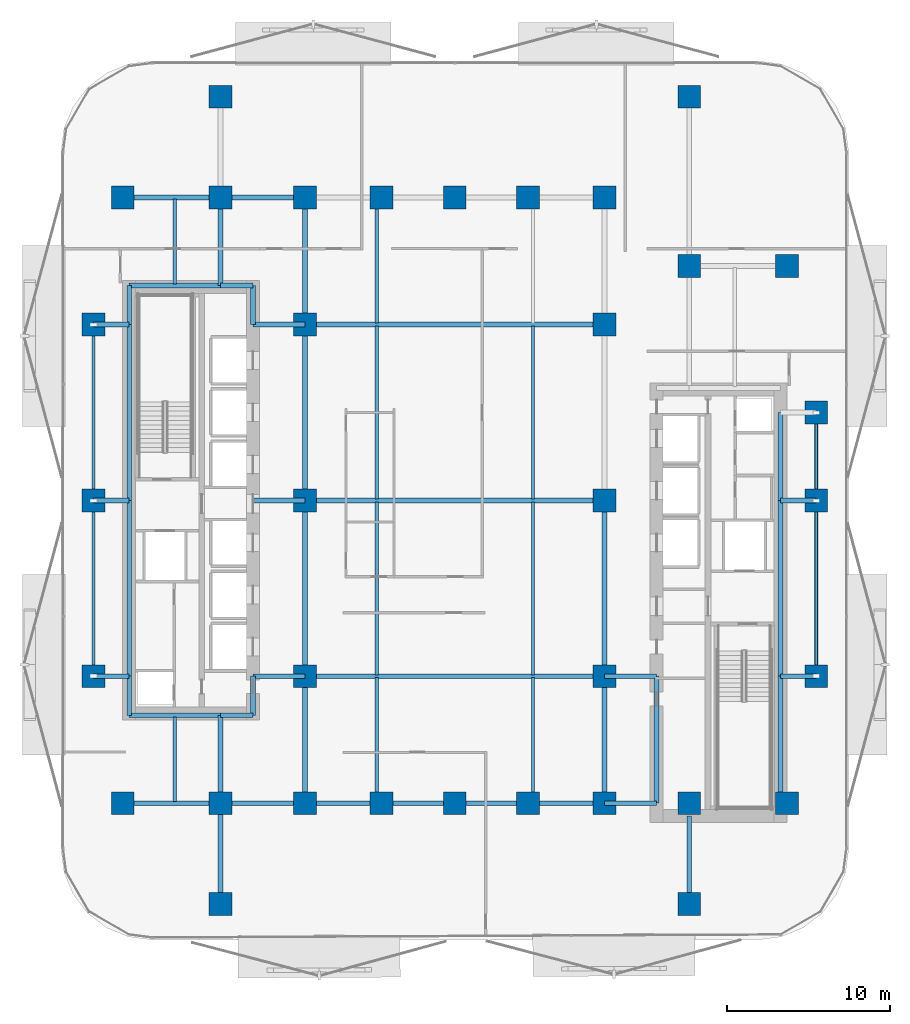
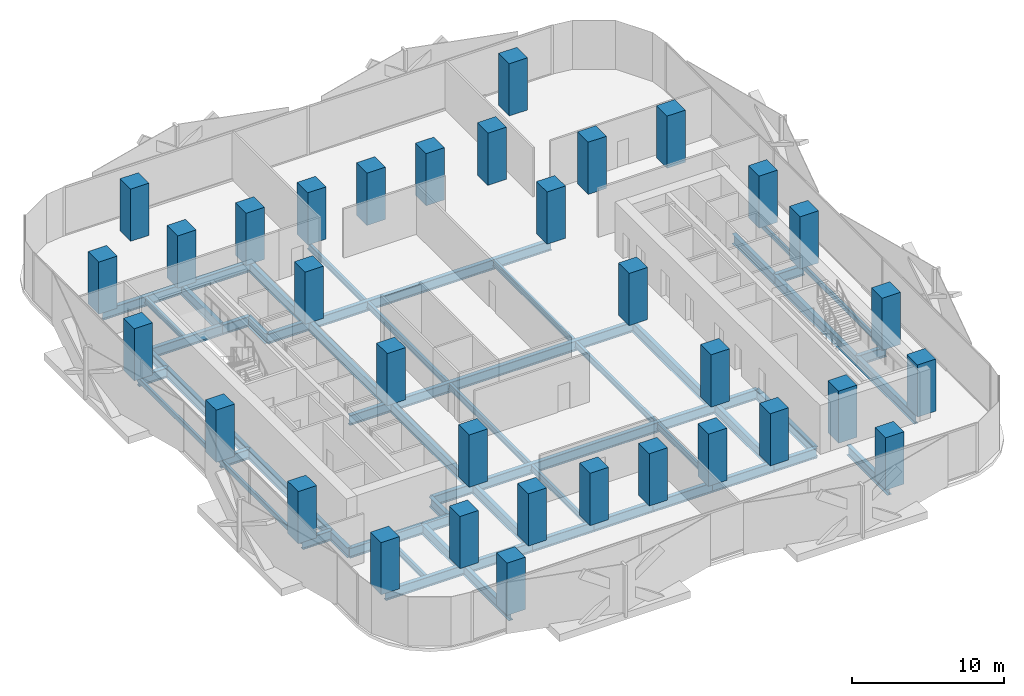
# One storey, part 1 of 15: 58 beams, 34 columns.
"""IFC4 building model written with IfcOpenShell, lengths in metres."""

from ifc_helpers import new_model, si_unit, direction, frame, origin, origin_2d, place, context, subcontext, project, spatial, rectangle, hollow_rectangle, i_section, extrude, material, material_profile, profile_set, type_object, element, save


model = new_model("IFC4")

# Units and contexts
model_context = context("Model", 3, precision=1e-05, world=origin(), true_north=direction((0.0, 1.0)))
body_context = subcontext(model_context, "Body", "Model", "MODEL_VIEW")
ifc_project = project(units=[si_unit("LENGTHUNIT", "METRE"), si_unit("AREAUNIT", "SQUARE_METRE"), si_unit("VOLUMEUNIT", "CUBIC_METRE"), si_unit("PLANEANGLEUNIT", "RADIAN"), si_unit("MASSUNIT", "GRAM", prefix="KILO")], contexts=[model_context])

# Site, building, storey
site_placement = place(None, origin())
site = spatial("IfcSite", under=ifc_project, at=site_placement, CompositionType="ELEMENT")
building_placement = place(site_placement, origin())
building = spatial("IfcBuilding", under=site, at=building_placement, Name="Khairoan Windgate Tower", CompositionType="ELEMENT")
storey_placement = place(building_placement, frame((0.0, 0.0, 68.0)))
storey = spatial("IfcBuildingStorey", under=building, at=storey_placement, Name="L16", CompositionType="ELEMENT", Elevation=68.0)

# Columns
ifc_material_1 = material(Name="Concrete C60/75", Category="concrete")
ifc_material_profile_1 = material_profile(ifc_material_1, rectangle(XDim=1.39990234375, YDim=1.39990234375, at=origin_2d()))
ifc_profile_set_1 = profile_set([ifc_material_profile_1], Name="Concrete C60/75")
column_type = type_object("IfcColumnType", Name="Column C-T2 RC1400x1400", PredefinedType="COLUMN", material=ifc_profile_set_1)
for number, where, z_axis, x_axis, name in (
    (1, (-9.199951171875, -18.60009765625, 0.0), (0.0, 0.0, 1.0), (1.0, 0.0, 0.0), "Column L16-01"),
    (2, (-9.199951171875, -10.800048828125, 0.0), (0.0, 0.0, 1.0), (1.0, 0.0, 0.0), "Column L16-02"),
    (3, (-9.199951171875, 0.0, 0.0), (0.0, 0.0, 1.0), (1.0, 0.0, 0.0), "Column L16-03"),
    (4, (-9.199951171875, 10.800048828125, 0.0), (0.0, 0.0, 1.0), (1.0, 0.0, 0.0), "Column L16-04"),
    (5, (-9.199951171875, 18.60009765625, 0.0), (0.0, 0.0, 1.0), (1.0, 0.0, 0.0), "Column L16-05"),
    (6, (9.199951171875, -18.60009765625, 0.0), (0.0, 0.0, 1.0), (1.0, 0.0, 0.0), "Column L16-06"),
    (7, (9.199951171875, -10.800048828125, 0.0), (0.0, 0.0, 1.0), (1.0, 0.0, 0.0), "Column L16-07"),
    (8, (9.199951171875, 0.0, 0.0), (0.0, 0.0, 1.0), (1.0, 0.0, 0.0), "Column L16-08"),
    (9, (9.199951171875, 10.800048828125, 0.0), (0.0, 0.0, 1.0), (1.0, 0.0, 0.0), "Column L16-09"),
    (10, (9.199951171875, 18.60009765625, 0.0), (0.0, 0.0, 1.0), (1.0, 0.0, 0.0), "Column L16-10"),
    (11, (-20.39990234375, -18.60009765625, 0.0), (0.0, 0.0, 1.0), (1.0, 0.0, 0.0), "Column L16-11"),
    (12, (-20.39990234375, 18.60009765625, 0.0), (0.0, 0.0, 1.0), (1.0, 0.0, 0.0), "Column L16-12"),
    (13, (20.39990234375, -18.60009765625, 0.0), (0.0, 0.0, 1.0), (1.0, 0.0, 0.0), "Column L16-13"),
    (14, (20.39990234375, 14.39990234375, 0.0), (0.0, 0.0, 1.0), (1.0, 0.0, 0.0), "Column L16-14"),
    (15, (-14.39990234375, -18.60009765625, 0.0), (0.0, 0.0, 1.0), (1.0, 0.0, 0.0), "Column L16-15"),
    (16, (-14.39990234375, 18.60009765625, 0.0), (0.0, 0.0, 1.0), (1.0, 0.0, 0.0), "Column L16-16"),
    (17, (14.39990234375, -18.60009765625, 0.0), (0.0, 0.0, 1.0), (1.0, 0.0, 0.0), "Column L16-17"),
    (18, (14.39990234375, 14.39990234375, 0.0), (0.0, 0.0, 1.0), (1.0, 0.0, 0.0), "Column L16-18"),
    (19, (-4.5, -18.60009765625, 0.0), (0.0, 0.0, 1.0), (1.0, 0.0, 0.0), "Column L16-19"),
    (20, (0.0, -18.60009765625, 0.0), (0.0, 0.0, 1.0), (1.0, 0.0, 0.0), "Column L16-20"),
    (21, (4.5, -18.60009765625, 0.0), (0.0, 0.0, 1.0), (1.0, 0.0, 0.0), "Column L16-21"),
    (22, (-4.5, 18.60009765625, 0.0), (0.0, 0.0, 1.0), (1.0, 0.0, 0.0), "Column L16-22"),
    (23, (0.0, 18.60009765625, 0.0), (0.0, 0.0, 1.0), (1.0, 0.0, 0.0), "Column L16-23"),
    (24, (4.5, 18.60009765625, 0.0), (0.0, 0.0, 1.0), (1.0, 0.0, 0.0), "Column L16-24"),
    (25, (-22.199951171875, -10.800048828125, 0.0), (0.0, 0.0, 1.0), (1.0, 0.0, 0.0), "Column L16-25"),
    (26, (-22.199951171875, 0.0, 0.0), (0.0, 0.0, 1.0), (1.0, 0.0, 0.0), "Column L16-26"),
    (27, (-22.199951171875, 10.800048828125, 0.0), (0.0, 0.0, 1.0), (1.0, 0.0, 0.0), "Column L16-27"),
    (28, (22.199951171875, -10.800048828125, 0.0), (0.0, 0.0, 1.0), (1.0, 0.0, 0.0), "Column L16-28"),
    (29, (22.199951171875, 0.0, 0.0), (0.0, 0.0, 1.0), (1.0, 0.0, 0.0), "Column L16-29"),
    (30, (22.199951171875, 5.39990234375, 0.0), (0.0, 0.0, 1.0), (1.0, 0.0, 0.0), "Column L16-30"),
    (31, (-14.39990234375, -24.800048828125, 0.0), (0.0, 0.0, 1.0), (1.0, 0.0, 0.0), "Column L16-31"),
    (32, (-14.39990234375, 24.800048828125, 0.0), (0.0, 0.0, 1.0), (1.0, 0.0, 0.0), "Column L16-32"),
    (33, (14.39990234375, -24.800048828125, 0.0), (0.0, 0.0, 1.0), (1.0, 0.0, 0.0), "Column L16-33"),
    (34, (14.39990234375, 24.800048828125, 0.0), (0.0, 0.0, 1.0), (1.0, 0.0, 0.0), "Column L16-34"),
):
    element("IfcColumn", number, at=place(storey_placement, frame(where, z_axis=z_axis, x_axis=x_axis)), inside=storey, type_object=column_type, Name=name, PredefinedType="COLUMN", context=body_context, shape_type="SweptSolid", body=[
        extrude(rectangle(XDim=1.39990234375, YDim=1.39990234375, at=origin_2d()), origin(), (0.0, 0.0, 1.0), 4.199951171875),
    ])

# Beams
ifc_material_2 = material(Name="Steel S355", Category="steel")
ifc_material_profile_2 = material_profile(ifc_material_2, i_section(OverallWidth=0.300048828125, OverallDepth=0.800048828125, WebThickness=0.013916015625, FlangeThickness=0.02587890625, FilletRadius=0.028076171875, at=origin_2d()))
ifc_profile_set_2 = profile_set([ifc_material_profile_2], Name="Steel S355")
beam_type_1 = type_object("IfcBeamType", Name="Beam B-G2 H800x300x14x26", PredefinedType="BEAM", material=ifc_profile_set_2)
beam_1_placement = place(storey_placement, frame((-20.39990234375, -18.60009765625, -0.659912109375), z_axis=(1.0, 0.0, 0.0), x_axis=(0.0, 1.0, 0.0)))
element("IfcBeam", 35, at=beam_1_placement, inside=storey, type_object=beam_type_1, Name="L16 E-W Primary Girder 01", PredefinedType="BEAM", context=body_context, shape_type="SweptSolid", body=[
    extrude(i_section(OverallWidth=0.300048828125, OverallDepth=0.800048828125, WebThickness=0.013916015625, FlangeThickness=0.02587890625, FilletRadius=0.028076171875, at=origin_2d()), origin(), (0.0, 0.0, 1.0), 6.0),
])
beam_2_placement = place(storey_placement, frame((-14.39990234375, -18.60009765625, -0.659912109375), z_axis=(1.0, 0.0, 0.0), x_axis=(0.0, 1.0, 0.0)))
element("IfcBeam", 36, at=beam_2_placement, inside=storey, type_object=beam_type_1, Name="L16 E-W Primary Girder 02", PredefinedType="BEAM", context=body_context, shape_type="SweptSolid", body=[
    extrude(i_section(OverallWidth=0.300048828125, OverallDepth=0.800048828125, WebThickness=0.013916015625, FlangeThickness=0.02587890625, FilletRadius=0.028076171875, at=origin_2d()), origin(), (0.0, 0.0, 1.0), 5.199951171875),
])
beam_3_placement = place(storey_placement, frame((-9.199951171875, -18.60009765625, -0.659912109375), z_axis=(1.0, 0.0, 0.0), x_axis=(0.0, 1.0, 0.0)))
element("IfcBeam", 37, at=beam_3_placement, inside=storey, type_object=beam_type_1, Name="L16 E-W Primary Girder 03", PredefinedType="BEAM", context=body_context, shape_type="SweptSolid", body=[
    extrude(i_section(OverallWidth=0.300048828125, OverallDepth=0.800048828125, WebThickness=0.013916015625, FlangeThickness=0.02587890625, FilletRadius=0.028076171875, at=origin_2d()), origin(), (0.0, 0.0, 1.0), 4.699951171875),
])
for number, where, z_axis, x_axis, name in (
    (38, (-4.5, -18.60009765625, -0.659912109375), (1.0, 0.0, 0.0), (0.0, 1.0, 0.0), "L16 E-W Primary Girder 04"),
    (39, (0.0, -18.60009765625, -0.659912109375), (1.0, 0.0, 0.0), (0.0, 1.0, 0.0), "L16 E-W Primary Girder 05"),
):
    element("IfcBeam", number, at=place(storey_placement, frame(where, z_axis=z_axis, x_axis=x_axis)), inside=storey, type_object=beam_type_1, Name=name, PredefinedType="BEAM", context=body_context, shape_type="SweptSolid", body=[
        extrude(i_section(OverallWidth=0.300048828125, OverallDepth=0.800048828125, WebThickness=0.013916015625, FlangeThickness=0.02587890625, FilletRadius=0.028076171875, at=origin_2d()), origin(), (0.0, 0.0, 1.0), 4.5),
    ])
beam_4_placement = place(storey_placement, frame((4.5, -18.60009765625, -0.659912109375), z_axis=(1.0, 0.0, 0.0), x_axis=(0.0, 1.0, 0.0)))
element("IfcBeam", 40, at=beam_4_placement, inside=storey, type_object=beam_type_1, Name="L16 E-W Primary Girder 06", PredefinedType="BEAM", context=body_context, shape_type="SweptSolid", body=[
    extrude(i_section(OverallWidth=0.300048828125, OverallDepth=0.800048828125, WebThickness=0.013916015625, FlangeThickness=0.02587890625, FilletRadius=0.028076171875, at=origin_2d()), origin(), (0.0, 0.0, 1.0), 4.699951171875),
])
beam_5_placement = place(storey_placement, frame((9.199951171875, -18.60009765625, -0.659912109375), z_axis=(1.0, 0.0, 0.0), x_axis=(0.0, 1.0, 0.0)))
element("IfcBeam", 41, at=beam_5_placement, inside=storey, type_object=beam_type_1, Name="L16 E-W Primary Girder 07", PredefinedType="BEAM", context=body_context, shape_type="SweptSolid", body=[
    extrude(i_section(OverallWidth=0.300048828125, OverallDepth=0.800048828125, WebThickness=0.013916015625, FlangeThickness=0.02587890625, FilletRadius=0.028076171875, at=origin_2d()), origin(), (0.0, 0.0, 1.0), 3.199951171875),
])
beam_6_placement = place(storey_placement, frame((-20.0, -13.199951171875, -0.659912109375), z_axis=(1.0, 0.0, 0.0), x_axis=(0.0, 1.0, 0.0)))
element("IfcBeam", 42, at=beam_6_placement, inside=storey, type_object=beam_type_1, Name="L16 E-W Primary Girder 08", PredefinedType="BEAM", context=body_context, shape_type="SweptSolid", body=[
    extrude(i_section(OverallWidth=0.300048828125, OverallDepth=0.800048828125, WebThickness=0.013916015625, FlangeThickness=0.02587890625, FilletRadius=0.028076171875, at=origin_2d()), origin(), (0.0, 0.0, 1.0), 5.60009765625),
])
beam_7_placement = place(storey_placement, frame((-14.39990234375, -13.199951171875, -0.659912109375), z_axis=(1.0, 0.0, 0.0), x_axis=(0.0, 1.0, 0.0)))
element("IfcBeam", 43, at=beam_7_placement, inside=storey, type_object=beam_type_1, Name="L16 E-W Primary Girder 09", PredefinedType="BEAM", context=body_context, shape_type="SweptSolid", body=[
    extrude(i_section(OverallWidth=0.300048828125, OverallDepth=0.800048828125, WebThickness=0.013916015625, FlangeThickness=0.02587890625, FilletRadius=0.028076171875, at=origin_2d()), origin(), (0.0, 0.0, 1.0), 2.0),
])
beam_8_placement = place(storey_placement, frame((-22.199951171875, -10.800048828125, -0.659912109375), z_axis=(1.0, 0.0, 0.0), x_axis=(0.0, 1.0, 0.0)))
element("IfcBeam", 44, at=beam_8_placement, inside=storey, type_object=beam_type_1, Name="L16 E-W Primary Girder 10", PredefinedType="BEAM", context=body_context, shape_type="SweptSolid", body=[
    extrude(i_section(OverallWidth=0.300048828125, OverallDepth=0.800048828125, WebThickness=0.013916015625, FlangeThickness=0.02587890625, FilletRadius=0.028076171875, at=origin_2d()), origin(), (0.0, 0.0, 1.0), 2.199951171875),
])
beam_9_placement = place(storey_placement, frame((-12.39990234375, -10.800048828125, -0.659912109375), z_axis=(1.0, 0.0, 0.0), x_axis=(0.0, 1.0, 0.0)))
element("IfcBeam", 45, at=beam_9_placement, inside=storey, type_object=beam_type_1, Name="L16 E-W Primary Girder 11", PredefinedType="BEAM", context=body_context, shape_type="SweptSolid", body=[
    extrude(i_section(OverallWidth=0.300048828125, OverallDepth=0.800048828125, WebThickness=0.013916015625, FlangeThickness=0.02587890625, FilletRadius=0.028076171875, at=origin_2d()), origin(), (0.0, 0.0, 1.0), 3.199951171875),
])
beam_10_placement = place(storey_placement, frame((-9.199951171875, -10.800048828125, -0.659912109375), z_axis=(1.0, 0.0, 0.0), x_axis=(0.0, 1.0, 0.0)))
element("IfcBeam", 46, at=beam_10_placement, inside=storey, type_object=beam_type_1, Name="L16 E-W Primary Girder 12", PredefinedType="BEAM", context=body_context, shape_type="SweptSolid", body=[
    extrude(i_section(OverallWidth=0.300048828125, OverallDepth=0.800048828125, WebThickness=0.013916015625, FlangeThickness=0.02587890625, FilletRadius=0.028076171875, at=origin_2d()), origin(), (0.0, 0.0, 1.0), 18.39990234375),
])
beam_11_placement = place(storey_placement, frame((9.199951171875, -10.800048828125, -0.659912109375), z_axis=(1.0, 0.0, 0.0), x_axis=(0.0, 1.0, 0.0)))
element("IfcBeam", 47, at=beam_11_placement, inside=storey, type_object=beam_type_1, Name="L16 E-W Primary Girder 13", PredefinedType="BEAM", context=body_context, shape_type="SweptSolid", body=[
    extrude(i_section(OverallWidth=0.300048828125, OverallDepth=0.800048828125, WebThickness=0.013916015625, FlangeThickness=0.02587890625, FilletRadius=0.028076171875, at=origin_2d()), origin(), (0.0, 0.0, 1.0), 3.199951171875),
])
for number, where, z_axis, x_axis, name in (
    (48, (20.0, -10.800048828125, -0.659912109375), (1.0, 0.0, 0.0), (0.0, 1.0, 0.0), "L16 E-W Primary Girder 14"),
    (49, (-22.199951171875, 0.0, -0.659912109375), (1.0, 0.0, 0.0), (0.0, 1.0, 0.0), "L16 E-W Primary Girder 15"),
):
    element("IfcBeam", number, at=place(storey_placement, frame(where, z_axis=z_axis, x_axis=x_axis)), inside=storey, type_object=beam_type_1, Name=name, PredefinedType="BEAM", context=body_context, shape_type="SweptSolid", body=[
        extrude(i_section(OverallWidth=0.300048828125, OverallDepth=0.800048828125, WebThickness=0.013916015625, FlangeThickness=0.02587890625, FilletRadius=0.028076171875, at=origin_2d()), origin(), (0.0, 0.0, 1.0), 2.199951171875),
    ])
beam_12_placement = place(storey_placement, frame((-12.39990234375, 0.0, -0.659912109375), z_axis=(1.0, 0.0, 0.0), x_axis=(0.0, 1.0, 0.0)))
element("IfcBeam", 50, at=beam_12_placement, inside=storey, type_object=beam_type_1, Name="L16 E-W Primary Girder 16", PredefinedType="BEAM", context=body_context, shape_type="SweptSolid", body=[
    extrude(i_section(OverallWidth=0.300048828125, OverallDepth=0.800048828125, WebThickness=0.013916015625, FlangeThickness=0.02587890625, FilletRadius=0.028076171875, at=origin_2d()), origin(), (0.0, 0.0, 1.0), 3.199951171875),
])
beam_13_placement = place(storey_placement, frame((-9.199951171875, 0.0, -0.659912109375), z_axis=(1.0, 0.0, 0.0), x_axis=(0.0, 1.0, 0.0)))
element("IfcBeam", 51, at=beam_13_placement, inside=storey, type_object=beam_type_1, Name="L16 E-W Primary Girder 17", PredefinedType="BEAM", context=body_context, shape_type="SweptSolid", body=[
    extrude(i_section(OverallWidth=0.300048828125, OverallDepth=0.800048828125, WebThickness=0.013916015625, FlangeThickness=0.02587890625, FilletRadius=0.028076171875, at=origin_2d()), origin(), (0.0, 0.0, 1.0), 18.39990234375),
])
for number, where, z_axis, x_axis, name in (
    (52, (20.0, 0.0, -0.659912109375), (1.0, 0.0, 0.0), (0.0, 1.0, 0.0), "L16 E-W Primary Girder 18"),
    (53, (-22.199951171875, 10.800048828125, -0.659912109375), (1.0, 0.0, 0.0), (0.0, 1.0, 0.0), "L16 E-W Primary Girder 22"),
):
    element("IfcBeam", number, at=place(storey_placement, frame(where, z_axis=z_axis, x_axis=x_axis)), inside=storey, type_object=beam_type_1, Name=name, PredefinedType="BEAM", context=body_context, shape_type="SweptSolid", body=[
        extrude(i_section(OverallWidth=0.300048828125, OverallDepth=0.800048828125, WebThickness=0.013916015625, FlangeThickness=0.02587890625, FilletRadius=0.028076171875, at=origin_2d()), origin(), (0.0, 0.0, 1.0), 2.199951171875),
    ])
beam_14_placement = place(storey_placement, frame((-12.39990234375, 10.800048828125, -0.659912109375), z_axis=(1.0, 0.0, 0.0), x_axis=(0.0, 1.0, 0.0)))
element("IfcBeam", 54, at=beam_14_placement, inside=storey, type_object=beam_type_1, Name="L16 E-W Primary Girder 23", PredefinedType="BEAM", context=body_context, shape_type="SweptSolid", body=[
    extrude(i_section(OverallWidth=0.300048828125, OverallDepth=0.800048828125, WebThickness=0.013916015625, FlangeThickness=0.02587890625, FilletRadius=0.028076171875, at=origin_2d()), origin(), (0.0, 0.0, 1.0), 3.199951171875),
])
beam_15_placement = place(storey_placement, frame((-9.199951171875, 10.800048828125, -0.659912109375), z_axis=(1.0, 0.0, 0.0), x_axis=(0.0, 1.0, 0.0)))
element("IfcBeam", 55, at=beam_15_placement, inside=storey, type_object=beam_type_1, Name="L16 E-W Primary Girder 24", PredefinedType="BEAM", context=body_context, shape_type="SweptSolid", body=[
    extrude(i_section(OverallWidth=0.300048828125, OverallDepth=0.800048828125, WebThickness=0.013916015625, FlangeThickness=0.02587890625, FilletRadius=0.028076171875, at=origin_2d()), origin(), (0.0, 0.0, 1.0), 18.39990234375),
])
beam_16_placement = place(storey_placement, frame((-20.0, 13.199951171875, -0.659912109375), z_axis=(1.0, 0.0, 0.0), x_axis=(0.0, 1.0, 0.0)))
element("IfcBeam", 56, at=beam_16_placement, inside=storey, type_object=beam_type_1, Name="L16 E-W Primary Girder 25", PredefinedType="BEAM", context=body_context, shape_type="SweptSolid", body=[
    extrude(i_section(OverallWidth=0.300048828125, OverallDepth=0.800048828125, WebThickness=0.013916015625, FlangeThickness=0.02587890625, FilletRadius=0.028076171875, at=origin_2d()), origin(), (0.0, 0.0, 1.0), 5.60009765625),
])
beam_17_placement = place(storey_placement, frame((-14.39990234375, 13.199951171875, -0.659912109375), z_axis=(1.0, 0.0, 0.0), x_axis=(0.0, 1.0, 0.0)))
element("IfcBeam", 57, at=beam_17_placement, inside=storey, type_object=beam_type_1, Name="L16 E-W Primary Girder 26", PredefinedType="BEAM", context=body_context, shape_type="SweptSolid", body=[
    extrude(i_section(OverallWidth=0.300048828125, OverallDepth=0.800048828125, WebThickness=0.013916015625, FlangeThickness=0.02587890625, FilletRadius=0.028076171875, at=origin_2d()), origin(), (0.0, 0.0, 1.0), 2.0),
])
beam_18_placement = place(storey_placement, frame((-20.39990234375, 18.60009765625, -0.659912109375), z_axis=(1.0, 0.0, 0.0), x_axis=(0.0, 1.0, 0.0)))
element("IfcBeam", 58, at=beam_18_placement, inside=storey, type_object=beam_type_1, Name="L16 E-W Primary Girder 28", PredefinedType="BEAM", context=body_context, shape_type="SweptSolid", body=[
    extrude(i_section(OverallWidth=0.300048828125, OverallDepth=0.800048828125, WebThickness=0.013916015625, FlangeThickness=0.02587890625, FilletRadius=0.028076171875, at=origin_2d()), origin(), (0.0, 0.0, 1.0), 6.0),
])
beam_19_placement = place(storey_placement, frame((-14.39990234375, 18.60009765625, -0.659912109375), z_axis=(1.0, 0.0, 0.0), x_axis=(0.0, 1.0, 0.0)))
element("IfcBeam", 59, at=beam_19_placement, inside=storey, type_object=beam_type_1, Name="L16 E-W Primary Girder 29", PredefinedType="BEAM", context=body_context, shape_type="SweptSolid", body=[
    extrude(i_section(OverallWidth=0.300048828125, OverallDepth=0.800048828125, WebThickness=0.013916015625, FlangeThickness=0.02587890625, FilletRadius=0.028076171875, at=origin_2d()), origin(), (0.0, 0.0, 1.0), 5.199951171875),
])
beam_20_placement = place(storey_placement, frame((-20.0, -13.199951171875, -0.659912109375), z_axis=(0.0, 1.0, 0.0), x_axis=(-1.0, 0.0, 0.0)))
element("IfcBeam", 60, at=beam_20_placement, inside=storey, type_object=beam_type_1, Name="L16 N-S Primary Beam 36", PredefinedType="BEAM", context=body_context, shape_type="SweptSolid", body=[
    extrude(i_section(OverallWidth=0.300048828125, OverallDepth=0.800048828125, WebThickness=0.013916015625, FlangeThickness=0.02587890625, FilletRadius=0.028076171875, at=origin_2d()), origin(), (0.0, 0.0, 1.0), 2.39990234375),
])
for number, where, z_axis, x_axis, name in (
    (61, (-20.0, -10.800048828125, -0.659912109375), (0.0, 1.0, 0.0), (-1.0, 0.0, 0.0), "L16 N-S Primary Beam 37"),
    (62, (-20.0, 0.0, -0.659912109375), (0.0, 1.0, 0.0), (-1.0, 0.0, 0.0), "L16 N-S Primary Beam 38"),
):
    element("IfcBeam", number, at=place(storey_placement, frame(where, z_axis=z_axis, x_axis=x_axis)), inside=storey, type_object=beam_type_1, Name=name, PredefinedType="BEAM", context=body_context, shape_type="SweptSolid", body=[
        extrude(i_section(OverallWidth=0.300048828125, OverallDepth=0.800048828125, WebThickness=0.013916015625, FlangeThickness=0.02587890625, FilletRadius=0.028076171875, at=origin_2d()), origin(), (0.0, 0.0, 1.0), 10.800048828125),
    ])
beam_21_placement = place(storey_placement, frame((-20.0, 10.800048828125, -0.659912109375), z_axis=(0.0, 1.0, 0.0), x_axis=(-1.0, 0.0, 0.0)))
element("IfcBeam", 63, at=beam_21_placement, inside=storey, type_object=beam_type_1, Name="L16 N-S Primary Beam 39", PredefinedType="BEAM", context=body_context, shape_type="SweptSolid", body=[
    extrude(i_section(OverallWidth=0.300048828125, OverallDepth=0.800048828125, WebThickness=0.013916015625, FlangeThickness=0.02587890625, FilletRadius=0.028076171875, at=origin_2d()), origin(), (0.0, 0.0, 1.0), 2.39990234375),
])
beam_22_placement = place(storey_placement, frame((-14.39990234375, -24.800048828125, -0.659912109375), z_axis=(0.0, 1.0, 0.0), x_axis=(-1.0, 0.0, 0.0)))
element("IfcBeam", 64, at=beam_22_placement, inside=storey, type_object=beam_type_1, Name="L16 N-S Primary Beam 40", PredefinedType="BEAM", context=body_context, shape_type="SweptSolid", body=[
    extrude(i_section(OverallWidth=0.300048828125, OverallDepth=0.800048828125, WebThickness=0.013916015625, FlangeThickness=0.02587890625, FilletRadius=0.028076171875, at=origin_2d()), origin(), (0.0, 0.0, 1.0), 6.199951171875),
])
for number, where, z_axis, x_axis, name in (
    (65, (-14.39990234375, -18.60009765625, -0.659912109375), (0.0, 1.0, 0.0), (-1.0, 0.0, 0.0), "L16 N-S Primary Beam 41"),
    (66, (-14.39990234375, 13.199951171875, -0.659912109375), (0.0, 1.0, 0.0), (-1.0, 0.0, 0.0), "L16 N-S Primary Beam 42"),
):
    element("IfcBeam", number, at=place(storey_placement, frame(where, z_axis=z_axis, x_axis=x_axis)), inside=storey, type_object=beam_type_1, Name=name, PredefinedType="BEAM", context=body_context, shape_type="SweptSolid", body=[
        extrude(i_section(OverallWidth=0.300048828125, OverallDepth=0.800048828125, WebThickness=0.013916015625, FlangeThickness=0.02587890625, FilletRadius=0.028076171875, at=origin_2d()), origin(), (0.0, 0.0, 1.0), 5.400146484375),
    ])
for number, where, z_axis, x_axis, name in (
    (67, (-12.39990234375, -13.199951171875, -0.659912109375), (0.0, 1.0, 0.0), (-1.0, 0.0, 0.0), "L16 N-S Primary Beam 44"),
    (68, (-12.39990234375, 10.800048828125, -0.659912109375), (0.0, 1.0, 0.0), (-1.0, 0.0, 0.0), "L16 N-S Primary Beam 45"),
):
    element("IfcBeam", number, at=place(storey_placement, frame(where, z_axis=z_axis, x_axis=x_axis)), inside=storey, type_object=beam_type_1, Name=name, PredefinedType="BEAM", context=body_context, shape_type="SweptSolid", body=[
        extrude(i_section(OverallWidth=0.300048828125, OverallDepth=0.800048828125, WebThickness=0.013916015625, FlangeThickness=0.02587890625, FilletRadius=0.028076171875, at=origin_2d()), origin(), (0.0, 0.0, 1.0), 2.39990234375),
    ])
beam_23_placement = place(storey_placement, frame((-9.199951171875, -18.60009765625, -0.659912109375), z_axis=(0.0, 1.0, 0.0), x_axis=(-1.0, 0.0, 0.0)))
element("IfcBeam", 69, at=beam_23_placement, inside=storey, type_object=beam_type_1, Name="L16 N-S Primary Beam 46", PredefinedType="BEAM", context=body_context, shape_type="SweptSolid", body=[
    extrude(i_section(OverallWidth=0.300048828125, OverallDepth=0.800048828125, WebThickness=0.013916015625, FlangeThickness=0.02587890625, FilletRadius=0.028076171875, at=origin_2d()), origin(), (0.0, 0.0, 1.0), 7.800048828125),
])
for number, where, z_axis, x_axis, name in (
    (70, (-9.199951171875, -10.800048828125, -0.659912109375), (0.0, 1.0, 0.0), (-1.0, 0.0, 0.0), "L16 N-S Primary Beam 47"),
    (71, (-9.199951171875, 0.0, -0.659912109375), (0.0, 1.0, 0.0), (-1.0, 0.0, 0.0), "L16 N-S Primary Beam 48"),
):
    element("IfcBeam", number, at=place(storey_placement, frame(where, z_axis=z_axis, x_axis=x_axis)), inside=storey, type_object=beam_type_1, Name=name, PredefinedType="BEAM", context=body_context, shape_type="SweptSolid", body=[
        extrude(i_section(OverallWidth=0.300048828125, OverallDepth=0.800048828125, WebThickness=0.013916015625, FlangeThickness=0.02587890625, FilletRadius=0.028076171875, at=origin_2d()), origin(), (0.0, 0.0, 1.0), 10.800048828125),
    ])
for number, where, z_axis, x_axis, name in (
    (72, (-9.199951171875, 10.800048828125, -0.659912109375), (0.0, 1.0, 0.0), (-1.0, 0.0, 0.0), "L16 N-S Primary Beam 49"),
    (73, (9.199951171875, -18.60009765625, -0.659912109375), (0.0, 1.0, 0.0), (-1.0, 0.0, 0.0), "L16 N-S Primary Beam 50"),
):
    element("IfcBeam", number, at=place(storey_placement, frame(where, z_axis=z_axis, x_axis=x_axis)), inside=storey, type_object=beam_type_1, Name=name, PredefinedType="BEAM", context=body_context, shape_type="SweptSolid", body=[
        extrude(i_section(OverallWidth=0.300048828125, OverallDepth=0.800048828125, WebThickness=0.013916015625, FlangeThickness=0.02587890625, FilletRadius=0.028076171875, at=origin_2d()), origin(), (0.0, 0.0, 1.0), 7.800048828125),
    ])
beam_24_placement = place(storey_placement, frame((9.199951171875, -10.800048828125, -0.659912109375), z_axis=(0.0, 1.0, 0.0), x_axis=(-1.0, 0.0, 0.0)))
element("IfcBeam", 74, at=beam_24_placement, inside=storey, type_object=beam_type_1, Name="L16 N-S Primary Beam 51", PredefinedType="BEAM", context=body_context, shape_type="SweptSolid", body=[
    extrude(i_section(OverallWidth=0.300048828125, OverallDepth=0.800048828125, WebThickness=0.013916015625, FlangeThickness=0.02587890625, FilletRadius=0.028076171875, at=origin_2d()), origin(), (0.0, 0.0, 1.0), 10.800048828125),
])
beam_25_placement = place(storey_placement, frame((12.39990234375, -18.60009765625, -0.659912109375), z_axis=(0.0, 1.0, 0.0), x_axis=(-1.0, 0.0, 0.0)))
element("IfcBeam", 75, at=beam_25_placement, inside=storey, type_object=beam_type_1, Name="L16 N-S Primary Beam 54", PredefinedType="BEAM", context=body_context, shape_type="SweptSolid", body=[
    extrude(i_section(OverallWidth=0.300048828125, OverallDepth=0.800048828125, WebThickness=0.013916015625, FlangeThickness=0.02587890625, FilletRadius=0.028076171875, at=origin_2d()), origin(), (0.0, 0.0, 1.0), 7.800048828125),
])
beam_26_placement = place(storey_placement, frame((14.39990234375, -24.800048828125, -0.659912109375), z_axis=(0.0, 1.0, 0.0), x_axis=(-1.0, 0.0, 0.0)))
element("IfcBeam", 76, at=beam_26_placement, inside=storey, type_object=beam_type_1, Name="L16 N-S Primary Beam 55", PredefinedType="BEAM", context=body_context, shape_type="SweptSolid", body=[
    extrude(i_section(OverallWidth=0.300048828125, OverallDepth=0.800048828125, WebThickness=0.013916015625, FlangeThickness=0.02587890625, FilletRadius=0.028076171875, at=origin_2d()), origin(), (0.0, 0.0, 1.0), 5.400146484375),
])
beam_27_placement = place(storey_placement, frame((20.0, -18.60009765625, -0.659912109375), z_axis=(0.0, 1.0, 0.0), x_axis=(-1.0, 0.0, 0.0)))
element("IfcBeam", 77, at=beam_27_placement, inside=storey, type_object=beam_type_1, Name="L16 N-S Primary Beam 58", PredefinedType="BEAM", context=body_context, shape_type="SweptSolid", body=[
    extrude(i_section(OverallWidth=0.300048828125, OverallDepth=0.800048828125, WebThickness=0.013916015625, FlangeThickness=0.02587890625, FilletRadius=0.028076171875, at=origin_2d()), origin(), (0.0, 0.0, 1.0), 7.800048828125),
])
beam_28_placement = place(storey_placement, frame((20.0, -10.800048828125, -0.659912109375), z_axis=(0.0, 1.0, 0.0), x_axis=(-1.0, 0.0, 0.0)))
element("IfcBeam", 78, at=beam_28_placement, inside=storey, type_object=beam_type_1, Name="L16 N-S Primary Beam 59", PredefinedType="BEAM", context=body_context, shape_type="SweptSolid", body=[
    extrude(i_section(OverallWidth=0.300048828125, OverallDepth=0.800048828125, WebThickness=0.013916015625, FlangeThickness=0.02587890625, FilletRadius=0.028076171875, at=origin_2d()), origin(), (0.0, 0.0, 1.0), 10.800048828125),
])
beam_29_placement = place(storey_placement, frame((20.0, 0.0, -0.659912109375), z_axis=(0.0, 1.0, 0.0), x_axis=(-1.0, 0.0, 0.0)))
element("IfcBeam", 79, at=beam_29_placement, inside=storey, type_object=beam_type_1, Name="L16 N-S Primary Beam 60", PredefinedType="BEAM", context=body_context, shape_type="SweptSolid", body=[
    extrude(i_section(OverallWidth=0.300048828125, OverallDepth=0.800048828125, WebThickness=0.013916015625, FlangeThickness=0.02587890625, FilletRadius=0.028076171875, at=origin_2d()), origin(), (0.0, 0.0, 1.0), 5.39990234375),
])
ifc_material_3 = material(Name="Steel S355", Category="steel")
ifc_material_profile_3 = material_profile(ifc_material_3, i_section(OverallWidth=0.199951171875, OverallDepth=0.5, WebThickness=0.010009765625, FlangeThickness=0.01611328125, FilletRadius=0.02001953125, at=origin_2d()))
ifc_profile_set_3 = profile_set([ifc_material_profile_3], Name="Steel S355")
beam_type_2 = type_object("IfcBeamType", Name="Beam J-S2 H500x200x10x16", PredefinedType="JOIST", material=ifc_profile_set_3)
for number, where, z_axis, x_axis, name in (
    (80, (-17.199951171875, -18.510009765625, -0.510009765625), (0.0, 1.0, 0.0), (-1.0, 0.0, 0.0), "L16 Secondary Floor Joist 01"),
    (81, (-17.199951171875, 13.2900390625, -0.510009765625), (0.0, 1.0, 0.0), (-1.0, 0.0, 0.0), "L16 Secondary Floor Joist 02"),
):
    element("IfcBeam", number, at=place(storey_placement, frame(where, z_axis=z_axis, x_axis=x_axis)), inside=storey, type_object=beam_type_2, Name=name, PredefinedType="JOIST", context=body_context, shape_type="SweptSolid", body=[
        extrude(i_section(OverallWidth=0.199951171875, OverallDepth=0.5, WebThickness=0.010009765625, FlangeThickness=0.01611328125, FilletRadius=0.02001953125, at=origin_2d()), origin(), (0.0, 0.0, 1.0), 5.219970703125),
    ])
beam_30_placement = place(storey_placement, frame((-4.800048828125, -18.510009765625, -0.510009765625), z_axis=(0.0, 1.0, 0.0), x_axis=(-1.0, 0.0, 0.0)))
element("IfcBeam", 82, at=beam_30_placement, inside=storey, type_object=beam_type_2, Name="L16 Secondary Floor Joist 03", PredefinedType="JOIST", context=body_context, shape_type="SweptSolid", body=[
    extrude(i_section(OverallWidth=0.199951171875, OverallDepth=0.5, WebThickness=0.010009765625, FlangeThickness=0.01611328125, FilletRadius=0.02001953125, at=origin_2d()), origin(), (0.0, 0.0, 1.0), 7.6201171875),
])
for number, where, z_axis, x_axis, name in (
    (83, (-4.800048828125, -10.7099609375, -0.510009765625), (0.0, 1.0, 0.0), (-1.0, 0.0, 0.0), "L16 Secondary Floor Joist 04"),
    (84, (-4.800048828125, 0.090087890625, -0.510009765625), (0.0, 1.0, 0.0), (-1.0, 0.0, 0.0), "L16 Secondary Floor Joist 05"),
):
    element("IfcBeam", number, at=place(storey_placement, frame(where, z_axis=z_axis, x_axis=x_axis)), inside=storey, type_object=beam_type_2, Name=name, PredefinedType="JOIST", context=body_context, shape_type="SweptSolid", body=[
        extrude(i_section(OverallWidth=0.199951171875, OverallDepth=0.5, WebThickness=0.010009765625, FlangeThickness=0.01611328125, FilletRadius=0.02001953125, at=origin_2d()), origin(), (0.0, 0.0, 1.0), 10.619873046875),
    ])
for number, where, z_axis, x_axis, name in (
    (85, (-4.800048828125, 10.889892578125, -0.510009765625), (0.0, 1.0, 0.0), (-1.0, 0.0, 0.0), "L16 Secondary Floor Joist 06"),
    (86, (4.800048828125, -18.510009765625, -0.510009765625), (0.0, 1.0, 0.0), (-1.0, 0.0, 0.0), "L16 Secondary Floor Joist 07"),
):
    element("IfcBeam", number, at=place(storey_placement, frame(where, z_axis=z_axis, x_axis=x_axis)), inside=storey, type_object=beam_type_2, Name=name, PredefinedType="JOIST", context=body_context, shape_type="SweptSolid", body=[
        extrude(i_section(OverallWidth=0.199951171875, OverallDepth=0.5, WebThickness=0.010009765625, FlangeThickness=0.01611328125, FilletRadius=0.02001953125, at=origin_2d()), origin(), (0.0, 0.0, 1.0), 7.6201171875),
    ])
for number, where, z_axis, x_axis, name in (
    (87, (4.800048828125, -10.7099609375, -0.510009765625), (0.0, 1.0, 0.0), (-1.0, 0.0, 0.0), "L16 Secondary Floor Joist 08"),
    (88, (4.800048828125, 0.090087890625, -0.510009765625), (0.0, 1.0, 0.0), (-1.0, 0.0, 0.0), "L16 Secondary Floor Joist 09"),
):
    element("IfcBeam", number, at=place(storey_placement, frame(where, z_axis=z_axis, x_axis=x_axis)), inside=storey, type_object=beam_type_2, Name=name, PredefinedType="JOIST", context=body_context, shape_type="SweptSolid", body=[
        extrude(i_section(OverallWidth=0.199951171875, OverallDepth=0.5, WebThickness=0.010009765625, FlangeThickness=0.01611328125, FilletRadius=0.02001953125, at=origin_2d()), origin(), (0.0, 0.0, 1.0), 10.619873046875),
    ])
ifc_material_4 = material(Name="Steel S355", Category="steel")
ifc_material_profile_4 = material_profile(ifc_material_4, hollow_rectangle(XDim=0.199951171875, YDim=0.39990234375, WallThickness=0.013916015625, InnerFilletRadius=0.013916015625, OuterFilletRadius=0.028076171875, at=origin_2d()))
ifc_profile_set_4 = profile_set([ifc_material_profile_4], Name="Steel S355")
beam_type_3 = type_object("IfcBeamType", Name="Beam SP-B1 RHS400x200x14", PredefinedType="SPANDREL", material=ifc_profile_set_4)
for number, where, z_axis, x_axis, name in (
    (89, (-22.199951171875, -10.800048828125, -0.4599609375), (0.0, 1.0, 0.0), (-1.0, 0.0, 0.0), "L16 Spandrel Beam 34"),
    (90, (-22.199951171875, 0.0, -0.4599609375), (0.0, 1.0, 0.0), (-1.0, 0.0, 0.0), "L16 Spandrel Beam 35"),
    (91, (22.199951171875, -10.800048828125, -0.4599609375), (0.0, 1.0, 0.0), (-1.0, 0.0, 0.0), "L16 Spandrel Beam 61"),
):
    element("IfcBeam", number, at=place(storey_placement, frame(where, z_axis=z_axis, x_axis=x_axis)), inside=storey, type_object=beam_type_3, Name=name, PredefinedType="SPANDREL", context=body_context, shape_type="SweptSolid", body=[
        extrude(hollow_rectangle(XDim=0.199951171875, YDim=0.39990234375, WallThickness=0.013916015625, InnerFilletRadius=0.013916015625, OuterFilletRadius=0.028076171875, at=origin_2d()), origin(), (0.0, 0.0, 1.0), 10.800048828125),
    ])
beam_31_placement = place(storey_placement, frame((22.199951171875, 0.0, -0.4599609375), z_axis=(0.0, 1.0, 0.0), x_axis=(-1.0, 0.0, 0.0)))
element("IfcBeam", 92, at=beam_31_placement, inside=storey, type_object=beam_type_3, Name="L16 Spandrel Beam 62", PredefinedType="SPANDREL", context=body_context, shape_type="SweptSolid", body=[
    extrude(hollow_rectangle(XDim=0.199951171875, YDim=0.39990234375, WallThickness=0.013916015625, InnerFilletRadius=0.013916015625, OuterFilletRadius=0.028076171875, at=origin_2d()), origin(), (0.0, 0.0, 1.0), 5.39990234375),
])

save(model, "model.ifc")
